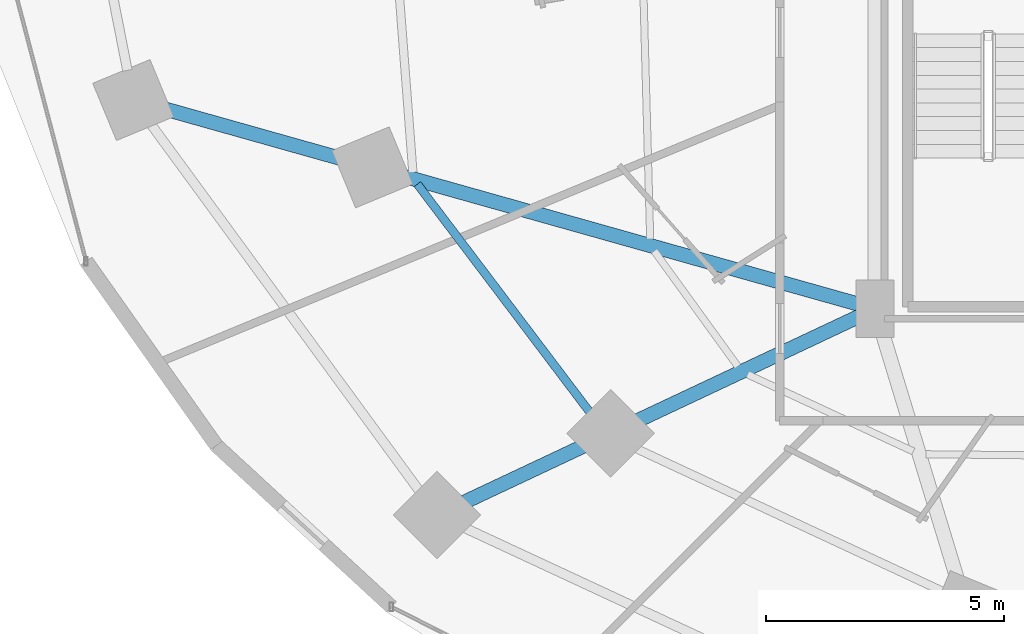
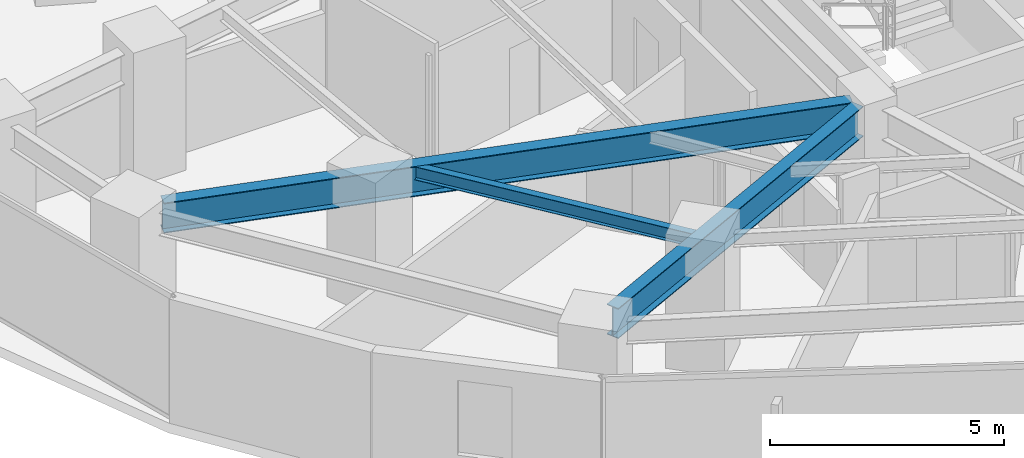
# One storey, part 4 of 36: 3 beams.
"""IFC4 building model written with IfcOpenShell, lengths in metres."""

from ifc_helpers import new_model, si_unit, direction, frame, origin, origin_2d, place, context, subcontext, project, spatial, i_section, extrude, material, material_profile, profile_set, type_object, element, save


model = new_model("IFC4")

# Units and contexts
model_context = context("Model", 3, precision=1e-05, world=origin(), true_north=direction((0.0, 1.0)))
body_context = subcontext(model_context, "Body", "Model", "MODEL_VIEW")
ifc_project = project(units=[si_unit("LENGTHUNIT", "METRE"), si_unit("AREAUNIT", "SQUARE_METRE"), si_unit("VOLUMEUNIT", "CUBIC_METRE"), si_unit("PLANEANGLEUNIT", "RADIAN"), si_unit("MASSUNIT", "GRAM", prefix="KILO")], contexts=[model_context])

# Site, building, storey
site_placement = place(None, origin())
site = spatial("IfcSite", under=ifc_project, at=site_placement, CompositionType="ELEMENT")
building_placement = place(site_placement, origin())
building = spatial("IfcBuilding", under=site, at=building_placement, Name="Vorneva Point Tower", CompositionType="ELEMENT")
storey_placement = place(building_placement, frame((0.0, 0.0, 24.0)))
storey = spatial("IfcBuildingStorey", under=building, at=storey_placement, Name="L05", CompositionType="ELEMENT", Elevation=24.0)

# Beams
ifc_material = material(Name="Steel S355", Category="steel")
ifc_material_profile_1 = material_profile(ifc_material, i_section(OverallWidth=0.300048828125, OverallDepth=0.7880859375, WebThickness=0.014404296875, FlangeThickness=0.02197265625, at=origin_2d()), Name="80Sh1")
ifc_profile_set_1 = profile_set([ifc_material_profile_1], Name="Steel S355")
beam_type_1 = type_object("IfcBeamType", Name="BM-GRD-80Sh1", PredefinedType="USERDEFINED", material=ifc_profile_set_1)
beam_1_placement = place(storey_placement, frame((12.30224609375, 20.65673828125, 2.845947265625), z_axis=(0.962603400973, -0.270914548217, 0.0), x_axis=(0.270914548217, 0.962603400973, 0.0)))
element("IfcBeam", 1, at=beam_1_placement, inside=storey, type_object=beam_type_1, Name="L05 Radial Primary Girder 10", ObjectType="GIRDER", PredefinedType="USERDEFINED", context=body_context, shape_type="SweptSolid", body=[
    extrude(i_section(OverallWidth=0.300048828125, OverallDepth=0.7880859375, WebThickness=0.014404296875, FlangeThickness=0.02197265625, at=origin_2d()), origin(), (0.0, 0.0, 1.0), 15.188232421875),
])
beam_2_placement = place(storey_placement, frame((18.638427734375, 12.39599609375, 2.845947265625), z_axis=(0.904758409006, 0.425925135831, 0.0), x_axis=(-0.425925135831, 0.904758409006, 0.0)))
element("IfcBeam", 2, at=beam_2_placement, inside=storey, type_object=beam_type_1, Name="L05 Radial Primary Girder 11", ObjectType="GIRDER", PredefinedType="USERDEFINED", context=body_context, shape_type="SweptSolid", body=[
    extrude(i_section(OverallWidth=0.300048828125, OverallDepth=0.7880859375, WebThickness=0.014404296875, FlangeThickness=0.02197265625, at=origin_2d()), origin(), (0.0, 0.0, 1.0), 9.177978515625),
])
ifc_material_profile_2 = material_profile(ifc_material, i_section(OverallWidth=0.174072265625, OverallDepth=0.345947265625, WebThickness=0.006103515625, FlangeThickness=0.009033203125, at=origin_2d()), Name="35B1")
ifc_profile_set_2 = profile_set([ifc_material_profile_2], Name="Steel S355")
beam_type_2 = type_object("IfcBeamType", Name="BM-SEC-35B1", PredefinedType="BEAM", material=ifc_profile_set_2)
beam_3_placement = place(storey_placement, frame((17.648681640625, 19.0654296875, 3.06689453125), z_axis=(0.603158130298, -0.797621633267, 0.0), x_axis=(0.797621633267, 0.603158130298, 0.0)))
element("IfcBeam", 3, at=beam_3_placement, inside=storey, type_object=beam_type_2, Name="L05 Secondary Floor Beam 1.10", PredefinedType="BEAM", context=body_context, shape_type="SweptSolid", body=[
    extrude(i_section(OverallWidth=0.174072265625, OverallDepth=0.345947265625, WebThickness=0.006103515625, FlangeThickness=0.009033203125, at=origin_2d()), origin(), (0.0, 0.0, 1.0), 6.459228515625),
])

save(model, "model.ifc")
